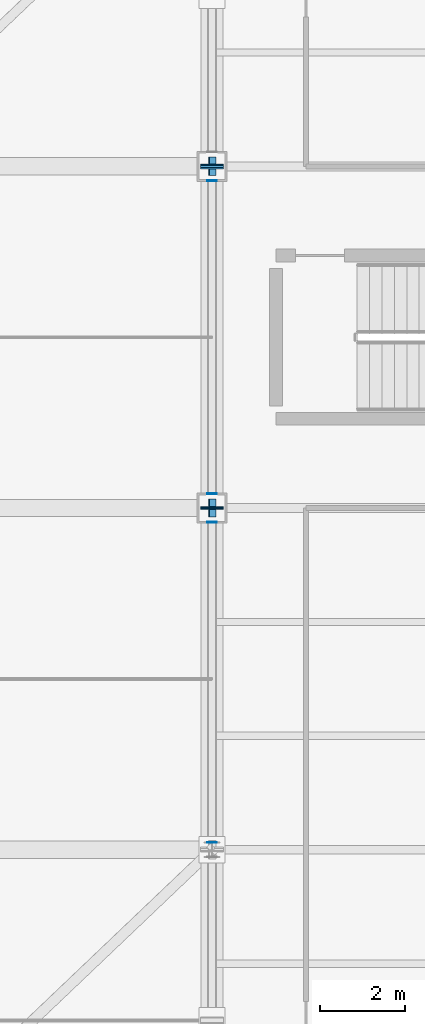
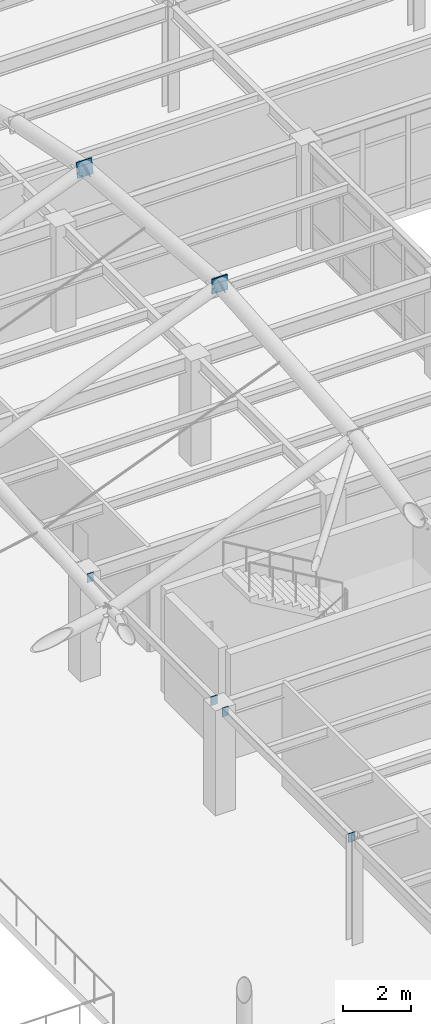
# One storey, part 113 of 138: 10 discrete accessories.
"""IFC4 building model written with IfcOpenShell, lengths in metres."""

from ifc_helpers import new_model, si_unit, direction, frame, origin, origin_2d, place, context, subcontext, project, spatial, rectangle, extrude, material, layer, layer_set, type_object, element, save


model = new_model("IFC4")

# Units and contexts
model_context = context("Model", 3, precision=1e-05, world=origin(), true_north=direction((0.0, 1.0)))
body_context = subcontext(model_context, "Body", "Model", "MODEL_VIEW")
ifc_project = project(units=[si_unit("LENGTHUNIT", "METRE"), si_unit("AREAUNIT", "SQUARE_METRE"), si_unit("VOLUMEUNIT", "CUBIC_METRE"), si_unit("PLANEANGLEUNIT", "RADIAN"), si_unit("MASSUNIT", "GRAM", prefix="KILO")], contexts=[model_context])

# Site, building, storey
site_placement = place(None, origin())
site = spatial("IfcSite", under=ifc_project, at=site_placement, CompositionType="ELEMENT")
building_placement = place(site_placement, origin())
building = spatial("IfcBuilding", under=site, at=building_placement, Name="Kranzveld Transit Interchange", CompositionType="ELEMENT")
storey_placement = place(building_placement, frame((0.0, 0.0, 5.43994140625)))
storey = spatial("IfcBuildingStorey", under=building, at=storey_placement, Name="L01", CompositionType="ELEMENT", Elevation=5.43994140625)

# Discrete accessories
ifc_material = material(Name="Steel S355JR", Category="steel")
ifc_layer = layer(ifc_material, 0.02001953125)
ifc_layer_set = layer_set([ifc_layer], Name="Steel S355JR")
discrete_accessory_type = type_object("IfcDiscreteAccessoryType", Name="Hollow Section End Cap Bracket 20 S355JR", PredefinedType="BRACKET", material=ifc_layer_set)
for number, where, z_axis, x_axis, name in (
    (1, (100.800048828125, 64.181396484375, 3.650146484375), (0.0, -1.0, 0.0), (1.0, 0.0, 0.0), "Hollow Section End Cap SP-RHS300-1"),
    (2, (100.800048828125, 71.656005859375, 3.650146484375), (0.0, 1.0, 0.0), (-1.0, 0.0, 0.0), "Hollow Section End Cap SP-RHS300-2"),
    (3, (100.800048828125, 72.343994140625, 3.650146484375), (0.0, -1.0, 0.0), (1.0, 0.0, 0.0), "Hollow Section End Cap SP-RHS300-1"),
    (4, (100.800048828125, 79.656005859375, 3.650146484375), (0.0, 1.0, 0.0), (-1.0, 0.0, 0.0), "Hollow Section End Cap SP-RHS300-2"),
):
    element("IfcDiscreteAccessory", number, at=place(storey_placement, frame(where, z_axis=z_axis, x_axis=x_axis)), inside=storey, type_object=discrete_accessory_type, Name=name, PredefinedType="BRACKET", context=body_context, shape_type="SweptSolid", body=[
        extrude(rectangle(XDim=0.22412109375, YDim=0.323974609375, at=origin_2d()), origin(), (0.0, 0.0, 1.0), 0.02001953125),
    ])
for number, where, z_axis, x_axis, name in (
    (5, (100.800048828125, 71.99609375, 18.90966796875), (0.0, 0.996286600035, 0.086098841978), (-1.0, 0.0, 0.0), "Hollow Section End Cap B-RNG508-2"),
    (6, (100.800048828125, 72.00390625, 18.90966796875), (0.0, -0.996286600035, 0.086098841978), (1.0, 0.0, 0.0), "Hollow Section End Cap B-RNG508-1"),
    (7, (100.800048828125, 79.99609375, 18.260498046875), (0.0, 0.996286600035, -0.086098841978), (-1.0, 0.0, 0.0), "Hollow Section End Cap B-RNG508-2"),
):
    element("IfcDiscreteAccessory", number, at=place(storey_placement, frame(where, z_axis=z_axis, x_axis=x_axis)), inside=storey, type_object=discrete_accessory_type, Name=name, PredefinedType="BRACKET", context=body_context, shape_type="SweptSolid", body=[
        extrude(rectangle(XDim=0.531982421875, YDim=0.531982421875, at=origin_2d()), origin(), (0.0, 0.0, 1.0), 0.019775390625),
    ])
discrete_accessory_placement = place(storey_placement, frame((100.800048828125, 80.00390625, 18.25927734375), z_axis=(0.0, -0.980580675691, 0.196116135138), x_axis=(1.0, 0.0, 0.0)))
element("IfcDiscreteAccessory", 8, at=discrete_accessory_placement, inside=storey, type_object=discrete_accessory_type, Name="Hollow Section End Cap B-RNG508-1", PredefinedType="BRACKET", context=body_context, shape_type="SweptSolid", body=[
    extrude(rectangle(XDim=0.531982421875, YDim=0.531982421875, at=origin_2d()), origin(), (0.0, 0.0, 1.0), 0.02001953125),
])
for number, where, z_axis, x_axis, name in (
    (9, (100.79638671875, 72.0, 18.878662109375), (0.930155221331, 0.0, 0.367166534736), (0.0, 1.0, 0.0), "Hollow Section End Cap B-RIB406-2"),
    (10, (100.79638671875, 80.0, 18.228515625), (0.930155221331, 0.0, 0.367166534736), (0.0, 1.0, 0.0), "Hollow Section End Cap B-RIB406-2"),
):
    element("IfcDiscreteAccessory", number, at=place(storey_placement, frame(where, z_axis=z_axis, x_axis=x_axis)), inside=storey, type_object=discrete_accessory_type, Name=name, PredefinedType="BRACKET", context=body_context, shape_type="SweptSolid", body=[
        extrude(rectangle(XDim=0.430419921875, YDim=0.430419921875, at=origin_2d()), origin(), (0.0, 0.0, 1.0), 0.02001953125),
    ])

save(model, "model.ifc")
